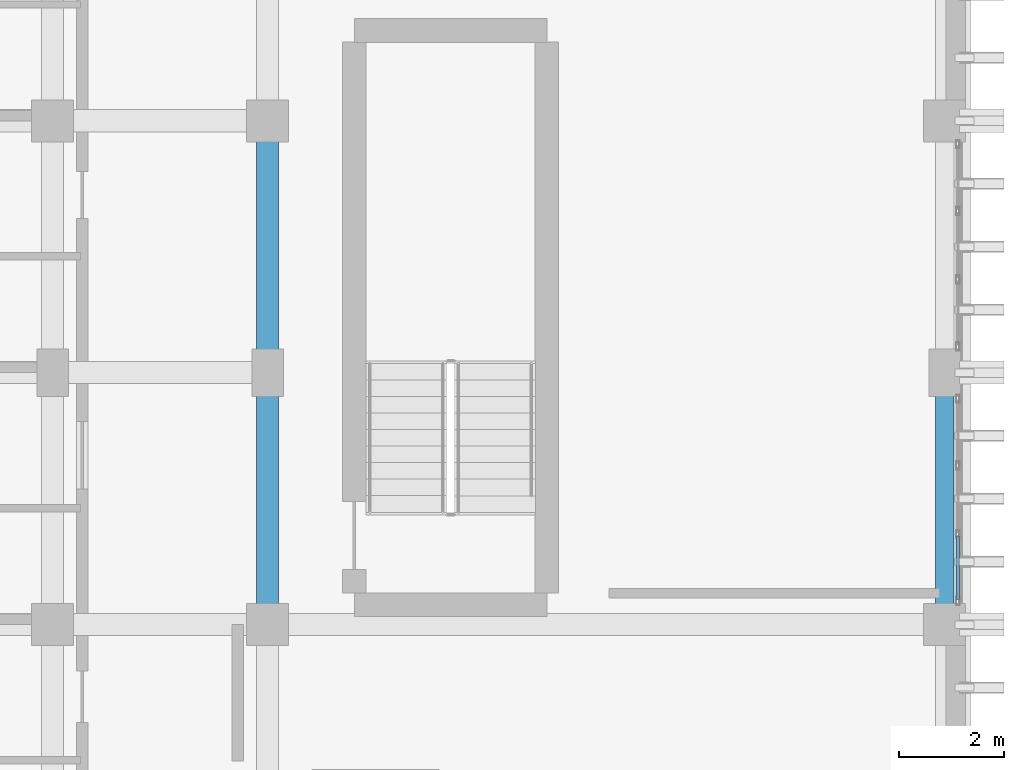
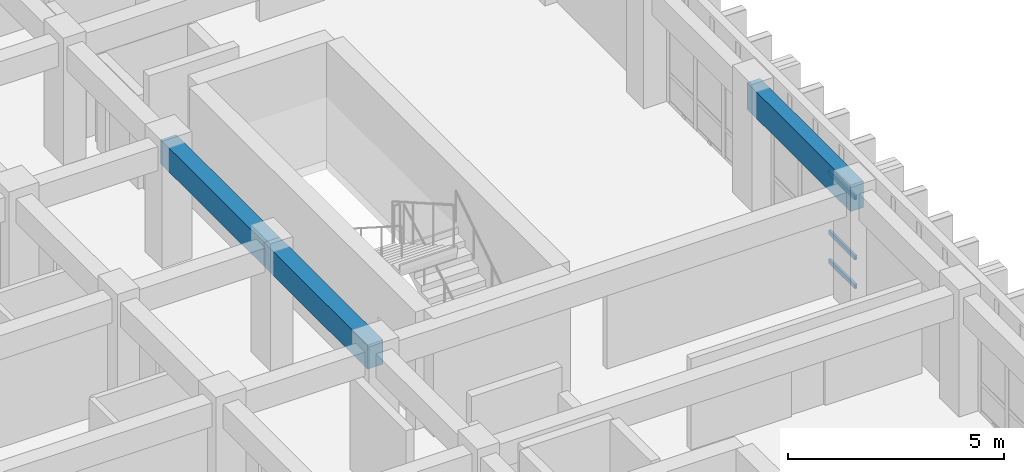
# One storey, part 18 of 82: 3 beams, 3 members, 1 element without a shape of its own.
"""IFC4 building model written with IfcOpenShell, lengths in metres."""

from ifc_helpers import new_model, si_unit, direction, frame, origin, origin_2d, place, context, subcontext, project, spatial, rectangle, hollow_rectangle, extrude, material, layer, layer_set, material_profile, profile_set, type_object, element, aggregate, save


model = new_model("IFC4")

# Units and contexts
model_context = context("Model", 3, precision=1e-05, world=origin(), true_north=direction((0.0, 1.0)))
body_context = subcontext(model_context, "Body", "Model", "MODEL_VIEW")
ifc_project = project(units=[si_unit("LENGTHUNIT", "METRE"), si_unit("AREAUNIT", "SQUARE_METRE"), si_unit("VOLUMEUNIT", "CUBIC_METRE"), si_unit("PLANEANGLEUNIT", "RADIAN"), si_unit("MASSUNIT", "GRAM", prefix="KILO")], contexts=[model_context])

# Site, building, storey
site_placement = place(None, origin())
site = spatial("IfcSite", under=ifc_project, at=site_placement, CompositionType="ELEMENT")
building_placement = place(site_placement, origin())
building = spatial("IfcBuilding", under=site, at=building_placement, Name="Nakhvara Creek Congress Hotel", CompositionType="ELEMENT")
storey_placement = place(building_placement, frame((0.0, 0.0, 21.0)))
storey = spatial("IfcBuildingStorey", under=building, at=storey_placement, Name="L04", CompositionType="ELEMENT", Elevation=21.0)

# Beams
ifc_material_1 = material(Name="Concrete C40/50", Category="concrete")
ifc_material_profile_1 = material_profile(ifc_material_1, rectangle(XDim=0.419921875, YDim=0.679931640625, at=origin_2d()), Name="RC-BM 420x680", Category="LoadBearing")
ifc_profile_set_1 = profile_set([ifc_material_profile_1], Name="Concrete C40/50")
beam_type_1 = type_object("IfcBeamType", Name="BM-RC-420X680", PredefinedType="BEAM", material=ifc_profile_set_1)
for number, where, z_axis, x_axis, name in (
    (1, (166.449951171875, 48.0, 3.0), (0.0, 1.0, 0.0), (-1.0, 0.0, 0.0), "Beam B11-L04-1984"),
    (2, (166.449951171875, 52.800048828125, 3.0), (0.0, 1.0, 0.0), (-1.0, 0.0, 0.0), "Beam B11-L04-1985"),
):
    element("IfcBeam", number, at=place(storey_placement, frame(where, z_axis=z_axis, x_axis=x_axis)), inside=storey, type_object=beam_type_1, Name=name, PredefinedType="BEAM", context=body_context, shape_type="SweptSolid", body=[
        extrude(rectangle(XDim=0.419921875, YDim=0.679931640625, at=origin_2d()), origin(), (0.0, 0.0, 1.0), 4.800048828125),
    ])
ifc_material_profile_2 = material_profile(ifc_material_1, rectangle(XDim=0.35009765625, YDim=0.75, at=origin_2d()), Name="RC-SPANDREL 350x750", Category="LoadBearing")
ifc_profile_set_2 = profile_set([ifc_material_profile_2], Name="Concrete C40/50")
beam_type_2 = type_object("IfcBeamType", Name="BM-SPN-350X750", PredefinedType="SPANDREL", material=ifc_profile_set_2)
beam_placement = place(storey_placement, frame((179.35009765625, 48.0, 2.965087890625), z_axis=(0.0, 1.0, 0.0), x_axis=(-1.0, 0.0, 0.0)))
element("IfcBeam", 3, at=beam_placement, inside=storey, type_object=beam_type_2, Name="Beam SP1-L04-2013", PredefinedType="SPANDREL", context=body_context, shape_type="SweptSolid", body=[
    extrude(rectangle(XDim=0.35009765625, YDim=0.75, at=origin_2d()), origin(), (0.0, 0.0, 1.0), 4.800048828125),
])

# Curtain wall, members
ifc_material_2 = material(Name="Bronze-anodised aluminium AW-6063-T6 and double-silver low-E glass", Category="aluminium")
ifc_layer = layer(ifc_material_2, 0.199951171875)
ifc_layer_set = layer_set([ifc_layer], Name="Bronze-anodised aluminium AW-6063-T6 and double-silver low-E glass")
curtain_wall_type = type_object("IfcCurtainWallType", Name="CW-HTL-UNIT", PredefinedType="USERDEFINED", material=ifc_layer_set)
curtain_wall_placement = place(storey_placement, origin())
curtain_wall = element("IfcCurtainWall", 4, at=curtain_wall_placement, inside=storey, type_object=curtain_wall_type, Name="Curtain Wall CW180", ObjectType="UNITISED", PredefinedType="USERDEFINED")
ifc_material_3 = material(Name="Bronze-anodised aluminium AW-6063-T6", Category="aluminium")
ifc_material_profile_3 = material_profile(ifc_material_3, hollow_rectangle(XDim=0.06494140625, YDim=0.1201171875, WallThickness=0.00390625, at=origin_2d()), Name="ALU-TRAN 65x120x4", Category="LoadBearing")
ifc_profile_set_3 = profile_set([ifc_material_profile_3], Name="Bronze-anodised aluminium AW-6063-T6")
member_type = type_object("IfcMemberType", Name="CW-TRAN-120", PredefinedType="USERDEFINED", material=ifc_profile_set_3)
member_1_placement = place(storey_placement, frame((179.60009765625, 49.689208984375, 0.032470703125), z_axis=(0.0, -1.0, 0.0), x_axis=(1.0, 0.0, 0.0)))
member_1 = element("IfcMember", 5, at=member_1_placement, type_object=member_type, Name="CW180 transom 3.1", ObjectType="TRANSOM", PredefinedType="USERDEFINED", context=body_context, shape_type="SweptSolid", body=[
    extrude(hollow_rectangle(XDim=0.06494140625, YDim=0.1201171875, WallThickness=0.00390625, at=origin_2d()), origin(), (0.0, 0.0, 1.0), 1.209228515625),
])
member_2_placement = place(storey_placement, frame((179.60009765625, 49.689208984375, 0.85009765625), z_axis=(0.0, -1.0, 0.0), x_axis=(1.0, 0.0, 0.0)))
member_2 = element("IfcMember", 6, at=member_2_placement, type_object=member_type, Name="CW180 transom 3.2", ObjectType="TRANSOM", PredefinedType="USERDEFINED", context=body_context, shape_type="SweptSolid", body=[
    extrude(hollow_rectangle(XDim=0.06494140625, YDim=0.1201171875, WallThickness=0.00390625, at=origin_2d()), origin(), (0.0, 0.0, 1.0), 1.209228515625),
])
member_3_placement = place(storey_placement, frame((179.60009765625, 49.689208984375, 2.549560546875), z_axis=(0.0, -1.0, 0.0), x_axis=(1.0, 0.0, 0.0)))
member_3 = element("IfcMember", 7, at=member_3_placement, type_object=member_type, Name="CW180 transom 3.3", ObjectType="TRANSOM", PredefinedType="USERDEFINED", context=body_context, shape_type="SweptSolid", body=[
    extrude(hollow_rectangle(XDim=0.06494140625, YDim=0.1201171875, WallThickness=0.00390625, at=origin_2d()), origin(), (0.0, 0.0, 1.0), 1.209228515625),
])
aggregate(curtain_wall, [member_1, member_2, member_3])

save(model, "model.ifc")
